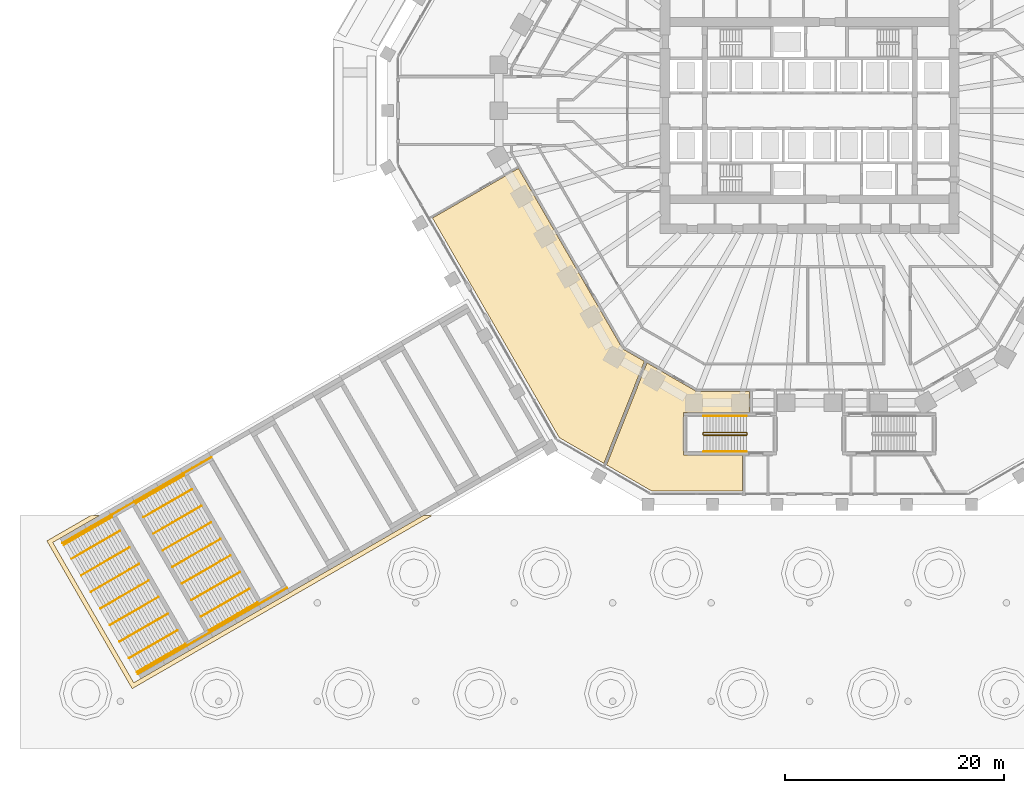
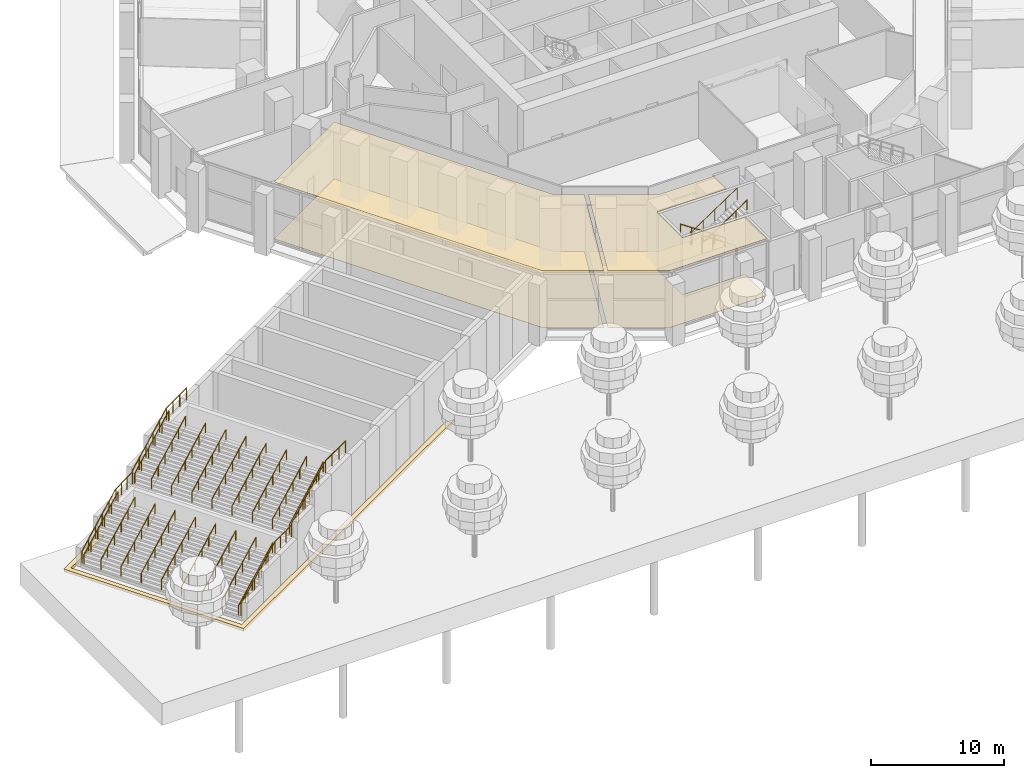
# One storey, part 33 of 44: 29 railings, 5 coverings.
"""IFC4 building model written with IfcOpenShell, lengths in metres."""

from ifc_helpers import new_model, si_unit, direction, frame, origin, origin_2d, place, context, subcontext, project, spatial, polyline, circle, outline, extrude, material, layer, layer_set, type_object, element, save


model = new_model("IFC4")

# Units and contexts
model_context = context("Model", 3, precision=1e-05, world=origin(), true_north=direction((0.0, 1.0)))
body_context = subcontext(model_context, "Body", "Model", "MODEL_VIEW")
ifc_project = project(units=[si_unit("LENGTHUNIT", "METRE"), si_unit("AREAUNIT", "SQUARE_METRE"), si_unit("VOLUMEUNIT", "CUBIC_METRE"), si_unit("PLANEANGLEUNIT", "RADIAN"), si_unit("MASSUNIT", "GRAM", prefix="KILO")], contexts=[model_context])

# Site, building, storey
site_placement = place(None, origin())
site = spatial("IfcSite", under=ifc_project, at=site_placement, CompositionType="ELEMENT")
building_placement = place(site_placement, origin())
building = spatial("IfcBuilding", under=site, at=building_placement, Name="Frailejon Research Tower", CompositionType="ELEMENT")
storey_placement = place(building_placement, origin())
storey = spatial("IfcBuildingStorey", under=building, at=storey_placement, Name="L00", CompositionType="ELEMENT", Elevation=0.0)

# Railings
ifc_material_1 = material(Name="Galvanised steel balustrade", Category="steel")
railing_type_1 = type_object("IfcRailingType", Name="Broad stair guard 1100", PredefinedType="GUARDRAIL", material=ifc_material_1)
railing_1_placement = place(storey_placement, frame((-54.682861328125, -31.6865234375, 5.60009765625)))
element("IfcRailing", 1, at=railing_1_placement, inside=storey, type_object=railing_type_1, Name="Broad stair W1 landing guard", PredefinedType="GUARDRAIL", context=body_context, shape_type="SweptSolid", body=[
    extrude(circle(Radius=0.02392578125, at=origin_2d()), frame((0.0, 0.0, 1.076171875), z_axis=(-0.866031096941, -0.499990139034, 0.0), x_axis=(0.499990139034, -0.866031096941, 0.0)), (0.0, 0.0, 1.0), 3.0),
    extrude(circle(Radius=0.02099609375, at=origin_2d()), origin(), (0.0, 0.0, 1.0), 1.052001953125),
    extrude(circle(Radius=0.02099609375, at=origin_2d()), frame((-0.865966796875, -0.5, 0.0)), (0.0, 0.0, 1.0), 1.052001953125),
    extrude(circle(Radius=0.02099609375, at=origin_2d()), frame((-1.732177734375, -1.0, 0.0)), (0.0, 0.0, 1.0), 1.052001953125),
    extrude(circle(Radius=0.02099609375, at=origin_2d()), frame((-2.59814453125, -1.5, 0.0)), (0.0, 0.0, 1.0), 1.052001953125),
])
railing_2_placement = place(storey_placement, frame((-61.697509765625, -35.736572265625, 2.800048828125)))
element("IfcRailing", 2, at=railing_2_placement, inside=storey, type_object=railing_type_1, Name="Broad stair W1 landing guard", PredefinedType="GUARDRAIL", context=body_context, shape_type="SweptSolid", body=[
    extrude(circle(Radius=0.02392578125, at=origin_2d()), frame((0.0, 0.0, 1.076171875), z_axis=(-0.866047370643, -0.499961950354, 0.0), x_axis=(0.499961950354, -0.866047370643, 0.0)), (0.0, 0.0, 1.0), 2.500244140625),
    extrude(circle(Radius=0.02099609375, at=origin_2d()), origin(), (0.0, 0.0, 1.0), 1.052001953125),
    extrude(circle(Radius=0.02099609375, at=origin_2d()), frame((-0.7216796875, -0.416748046875, 0.0)), (0.0, 0.0, 1.0), 1.052001953125),
    extrude(circle(Radius=0.02099609375, at=origin_2d()), frame((-1.443603515625, -0.833251953125, 0.0)), (0.0, 0.0, 1.0), 1.052001953125),
    extrude(circle(Radius=0.02099609375, at=origin_2d()), frame((-2.165283203125, -1.25, 0.0)), (0.0, 0.0, 1.0), 1.052001953125),
])
railing_3_placement = place(storey_placement, frame((-47.78271484375, -43.6376953125, 5.60009765625)))
element("IfcRailing", 3, at=railing_3_placement, inside=storey, type_object=railing_type_1, Name="Broad stair W1 landing guard", PredefinedType="GUARDRAIL", context=body_context, shape_type="SweptSolid", body=[
    extrude(circle(Radius=0.02392578125, at=origin_2d()), frame((0.0, 0.0, 1.076171875), z_axis=(-0.866031096941, -0.499990139034, 0.0), x_axis=(0.499990139034, -0.866031096941, 0.0)), (0.0, 0.0, 1.0), 3.0),
    extrude(circle(Radius=0.02099609375, at=origin_2d()), origin(), (0.0, 0.0, 1.0), 1.052001953125),
    extrude(circle(Radius=0.02099609375, at=origin_2d()), frame((-0.865966796875, -0.5, 0.0)), (0.0, 0.0, 1.0), 1.052001953125),
    extrude(circle(Radius=0.02099609375, at=origin_2d()), frame((-1.732177734375, -1.0, 0.0)), (0.0, 0.0, 1.0), 1.052001953125),
    extrude(circle(Radius=0.02099609375, at=origin_2d()), frame((-2.59814453125, -1.5, 0.0)), (0.0, 0.0, 1.0), 1.052001953125),
])
railing_4_placement = place(storey_placement, frame((-54.797607421875, -47.687744140625, 2.800048828125)))
element("IfcRailing", 4, at=railing_4_placement, inside=storey, type_object=railing_type_1, Name="Broad stair W1 landing guard", PredefinedType="GUARDRAIL", context=body_context, shape_type="SweptSolid", body=[
    extrude(circle(Radius=0.02392578125, at=origin_2d()), frame((0.0, 0.0, 1.076171875), z_axis=(-0.866022959057, -0.500004234368, 0.0), x_axis=(0.500004234368, -0.866022959057, 0.0)), (0.0, 0.0, 1.0), 2.5),
    extrude(circle(Radius=0.02099609375, at=origin_2d()), origin(), (0.0, 0.0, 1.0), 1.052001953125),
    extrude(circle(Radius=0.02099609375, at=origin_2d()), frame((-0.7216796875, -0.416748046875, 0.0)), (0.0, 0.0, 1.0), 1.052001953125),
    extrude(circle(Radius=0.02099609375, at=origin_2d()), frame((-1.443359375, -0.833251953125, 0.0)), (0.0, 0.0, 1.0), 1.052001953125),
    extrude(circle(Radius=0.02099609375, at=origin_2d()), frame((-2.1650390625, -1.25, 0.0)), (0.0, 0.0, 1.0), 1.052001953125),
])
for number, where, name in (
    (5, (-61.697509765625, -35.736572265625, 2.95556640625), "Broad stair W1 flight guard"),
    (6, (-68.279296875, -39.53662109375, 0.155517578125), "Broad stair W1 flight guard"),
):
    element("IfcRailing", number, at=place(storey_placement, frame(where)), inside=storey, type_object=railing_type_1, Name=name, PredefinedType="GUARDRAIL", context=body_context, shape_type="SweptSolid", body=[
        extrude(circle(Radius=0.02392578125, at=origin_2d()), frame((0.0, 0.0, 1.076171875), z_axis=(0.768793665423, 0.443894407703, 0.460341237361), x_axis=(-0.500026340207, 0.866010195725, 0.0)), (0.0, 0.0, 1.0), 5.74462890625),
        extrude(circle(Radius=0.02099609375, at=origin_2d()), origin(), (0.0, 0.0, 1.0), 1.052001953125),
        extrude(circle(Radius=0.02099609375, at=origin_2d()), frame((0.88330078125, 0.510009765625, 0.52880859375)), (0.0, 0.0, 1.0), 1.052001953125),
        extrude(circle(Radius=0.02099609375, at=origin_2d()), frame((1.7666015625, 1.02001953125, 1.057861328125)), (0.0, 0.0, 1.0), 1.052001953125),
        extrude(circle(Radius=0.02099609375, at=origin_2d()), frame((2.64990234375, 1.530029296875, 1.586669921875)), (0.0, 0.0, 1.0), 1.052001953125),
        extrude(circle(Radius=0.02099609375, at=origin_2d()), frame((3.533203125, 2.0400390625, 2.11572265625)), (0.0, 0.0, 1.0), 1.052001953125),
        extrude(circle(Radius=0.02099609375, at=origin_2d()), frame((4.41650390625, 2.550048828125, 2.64453125)), (0.0, 0.0, 1.0), 1.052001953125),
    ])
for number, where, name in (
    (7, (-54.797607421875, -47.687744140625, 2.95556640625), "Broad stair W1 flight guard"),
    (8, (-61.37939453125, -51.48779296875, 0.155517578125), "Broad stair W1 flight guard"),
):
    element("IfcRailing", number, at=place(storey_placement, frame(where)), inside=storey, type_object=railing_type_1, Name=name, PredefinedType="GUARDRAIL", context=body_context, shape_type="SweptSolid", body=[
        extrude(circle(Radius=0.02392578125, at=origin_2d()), frame((0.0, 0.0, 1.076171875), z_axis=(0.768811044506, 0.443879904918, 0.46032619723), x_axis=(-0.500005610874, 0.86602216432, 0.0)), (0.0, 0.0, 1.0), 5.744873046875),
        extrude(circle(Radius=0.02099609375, at=origin_2d()), origin(), (0.0, 0.0, 1.0), 1.052001953125),
        extrude(circle(Radius=0.02099609375, at=origin_2d()), frame((0.88330078125, 0.510009765625, 0.52880859375)), (0.0, 0.0, 1.0), 1.052001953125),
        extrude(circle(Radius=0.02099609375, at=origin_2d()), frame((1.7666015625, 1.02001953125, 1.057861328125)), (0.0, 0.0, 1.0), 1.052001953125),
        extrude(circle(Radius=0.02099609375, at=origin_2d()), frame((2.650146484375, 1.530029296875, 1.586669921875)), (0.0, 0.0, 1.0), 1.052001953125),
        extrude(circle(Radius=0.02099609375, at=origin_2d()), frame((3.533447265625, 2.0400390625, 2.11572265625)), (0.0, 0.0, 1.0), 1.052001953125),
        extrude(circle(Radius=0.02099609375, at=origin_2d()), frame((4.416748046875, 2.550048828125, 2.64453125)), (0.0, 0.0, 1.0), 1.052001953125),
    ])
ifc_material_2 = material(Name="Stainless steel handrail", Category="steel")
railing_type_2 = type_object("IfcRailingType", Name="Broad stair handrail", PredefinedType="HANDRAIL", material=ifc_material_2)
railing_5_placement = place(storey_placement, frame((-61.59765625, -35.909912109375, 2.95556640625)))
element("IfcRailing", 9, at=railing_5_placement, inside=storey, type_object=railing_type_2, Name="Broad stair W1 flight handrail", PredefinedType="HANDRAIL", context=body_context, shape_type="SweptSolid", body=[
    extrude(circle(Radius=0.02392578125, at=origin_2d()), frame((0.0, 0.0, 0.8759765625), z_axis=(0.768811044506, 0.443879904918, 0.46032619723), x_axis=(-0.500005610874, 0.86602216432, 0.0)), (0.0, 0.0, 1.0), 5.744873046875),
    extrude(circle(Radius=0.02099609375, at=origin_2d()), origin(), (0.0, 0.0, 1.0), 0.851806640625),
    extrude(circle(Radius=0.02099609375, at=origin_2d()), frame((0.88330078125, 0.510009765625, 0.52880859375)), (0.0, 0.0, 1.0), 0.851806640625),
    extrude(circle(Radius=0.02099609375, at=origin_2d()), frame((1.7666015625, 1.02001953125, 1.057861328125)), (0.0, 0.0, 1.0), 0.851806640625),
    extrude(circle(Radius=0.02099609375, at=origin_2d()), frame((2.650146484375, 1.530029296875, 1.586669921875)), (0.0, 0.0, 1.0), 0.851806640625),
    extrude(circle(Radius=0.02099609375, at=origin_2d()), frame((3.533447265625, 2.0400390625, 2.11572265625)), (0.0, 0.0, 1.0), 0.851806640625),
    extrude(circle(Radius=0.02099609375, at=origin_2d()), frame((4.416748046875, 2.550048828125, 2.64453125)), (0.0, 0.0, 1.0), 0.851806640625),
])
railing_6_placement = place(storey_placement, frame((-68.179443359375, -39.709716796875, 0.155517578125)))
element("IfcRailing", 10, at=railing_6_placement, inside=storey, type_object=railing_type_2, Name="Broad stair W1 flight handrail", PredefinedType="HANDRAIL", context=body_context, shape_type="SweptSolid", body=[
    extrude(circle(Radius=0.02392578125, at=origin_2d()), frame((0.0, 0.0, 0.8759765625), z_axis=(0.768825546697, 0.443845780206, 0.460334880428), x_axis=(-0.499969707105, 0.866042892689, 0.0)), (0.0, 0.0, 1.0), 5.744873046875),
    extrude(circle(Radius=0.02099609375, at=origin_2d()), origin(), (0.0, 0.0, 1.0), 0.851806640625),
    extrude(circle(Radius=0.02099609375, at=origin_2d()), frame((0.88330078125, 0.510009765625, 0.52880859375)), (0.0, 0.0, 1.0), 0.851806640625),
    extrude(circle(Radius=0.02099609375, at=origin_2d()), frame((1.7666015625, 1.02001953125, 1.057861328125)), (0.0, 0.0, 1.0), 0.851806640625),
    extrude(circle(Radius=0.02099609375, at=origin_2d()), frame((2.650146484375, 1.52978515625, 1.586669921875)), (0.0, 0.0, 1.0), 0.851806640625),
    extrude(circle(Radius=0.02099609375, at=origin_2d()), frame((3.533447265625, 2.039794921875, 2.11572265625)), (0.0, 0.0, 1.0), 0.851806640625),
    extrude(circle(Radius=0.02099609375, at=origin_2d()), frame((4.416748046875, 2.5498046875, 2.64453125)), (0.0, 0.0, 1.0), 0.851806640625),
])
for number, where, name in (
    (11, (-60.87255859375, -37.16552734375, 2.95556640625), "Broad stair W1 flight handrail"),
    (12, (-67.454345703125, -40.965576171875, 0.155517578125), "Broad stair W1 flight handrail"),
    (13, (-59.99755859375, -38.68115234375, 2.95556640625), "Broad stair W1 flight handrail"),
    (14, (-66.579345703125, -42.481201171875, 0.155517578125), "Broad stair W1 flight handrail"),
    (15, (-59.12255859375, -40.196533203125, 2.95556640625), "Broad stair W1 flight handrail"),
    (16, (-65.704345703125, -43.99658203125, 0.155517578125), "Broad stair W1 flight handrail"),
    (17, (-58.24755859375, -41.712158203125, 2.95556640625), "Broad stair W1 flight handrail"),
    (18, (-64.829345703125, -45.51220703125, 0.155517578125), "Broad stair W1 flight handrail"),
    (19, (-57.37255859375, -43.227783203125, 2.95556640625), "Broad stair W1 flight handrail"),
):
    element("IfcRailing", number, at=place(storey_placement, frame(where)), inside=storey, type_object=railing_type_2, Name=name, PredefinedType="HANDRAIL", context=body_context, shape_type="SweptSolid", body=[
        extrude(circle(Radius=0.02392578125, at=origin_2d()), frame((0.0, 0.0, 0.8759765625), z_axis=(0.768811044506, 0.443879904918, 0.46032619723), x_axis=(-0.500005610874, 0.86602216432, 0.0)), (0.0, 0.0, 1.0), 5.744873046875),
        extrude(circle(Radius=0.02099609375, at=origin_2d()), origin(), (0.0, 0.0, 1.0), 0.851806640625),
        extrude(circle(Radius=0.02099609375, at=origin_2d()), frame((0.88330078125, 0.510009765625, 0.52880859375)), (0.0, 0.0, 1.0), 0.851806640625),
        extrude(circle(Radius=0.02099609375, at=origin_2d()), frame((1.7666015625, 1.02001953125, 1.057861328125)), (0.0, 0.0, 1.0), 0.851806640625),
        extrude(circle(Radius=0.02099609375, at=origin_2d()), frame((2.650146484375, 1.530029296875, 1.586669921875)), (0.0, 0.0, 1.0), 0.851806640625),
        extrude(circle(Radius=0.02099609375, at=origin_2d()), frame((3.533447265625, 2.0400390625, 2.11572265625)), (0.0, 0.0, 1.0), 0.851806640625),
        extrude(circle(Radius=0.02099609375, at=origin_2d()), frame((4.416748046875, 2.550048828125, 2.64453125)), (0.0, 0.0, 1.0), 0.851806640625),
    ])
railing_7_placement = place(storey_placement, frame((-63.954345703125, -47.027587890625, 0.155517578125)))
element("IfcRailing", 20, at=railing_7_placement, inside=storey, type_object=railing_type_2, Name="Broad stair W1 flight handrail", PredefinedType="HANDRAIL", context=body_context, shape_type="SweptSolid", body=[
    extrude(circle(Radius=0.02392578125, at=origin_2d()), frame((0.0, 0.0, 0.8759765625), z_axis=(0.768825546697, 0.443845780206, 0.460334880428), x_axis=(-0.499969707105, 0.866042892689, 0.0)), (0.0, 0.0, 1.0), 5.744873046875),
    extrude(circle(Radius=0.02099609375, at=origin_2d()), origin(), (0.0, 0.0, 1.0), 0.851806640625),
    extrude(circle(Radius=0.02099609375, at=origin_2d()), frame((0.88330078125, 0.510009765625, 0.52880859375)), (0.0, 0.0, 1.0), 0.851806640625),
    extrude(circle(Radius=0.02099609375, at=origin_2d()), frame((1.7666015625, 1.02001953125, 1.057861328125)), (0.0, 0.0, 1.0), 0.851806640625),
    extrude(circle(Radius=0.02099609375, at=origin_2d()), frame((2.650146484375, 1.52978515625, 1.586669921875)), (0.0, 0.0, 1.0), 0.851806640625),
    extrude(circle(Radius=0.02099609375, at=origin_2d()), frame((3.533447265625, 2.039794921875, 2.11572265625)), (0.0, 0.0, 1.0), 0.851806640625),
    extrude(circle(Radius=0.02099609375, at=origin_2d()), frame((4.416748046875, 2.5498046875, 2.64453125)), (0.0, 0.0, 1.0), 0.851806640625),
])
railing_8_placement = place(storey_placement, frame((-56.49755859375, -44.743408203125, 2.95556640625)))
element("IfcRailing", 21, at=railing_8_placement, inside=storey, type_object=railing_type_2, Name="Broad stair W1 flight handrail", PredefinedType="HANDRAIL", context=body_context, shape_type="SweptSolid", body=[
    extrude(circle(Radius=0.02392578125, at=origin_2d()), frame((0.0, 0.0, 0.8759765625), z_axis=(0.768811044506, 0.443879904918, 0.46032619723), x_axis=(-0.500005610874, 0.86602216432, 0.0)), (0.0, 0.0, 1.0), 5.744873046875),
    extrude(circle(Radius=0.02099609375, at=origin_2d()), origin(), (0.0, 0.0, 1.0), 0.851806640625),
    extrude(circle(Radius=0.02099609375, at=origin_2d()), frame((0.88330078125, 0.510009765625, 0.52880859375)), (0.0, 0.0, 1.0), 0.851806640625),
    extrude(circle(Radius=0.02099609375, at=origin_2d()), frame((1.7666015625, 1.02001953125, 1.057861328125)), (0.0, 0.0, 1.0), 0.851806640625),
    extrude(circle(Radius=0.02099609375, at=origin_2d()), frame((2.650146484375, 1.530029296875, 1.586669921875)), (0.0, 0.0, 1.0), 0.851806640625),
    extrude(circle(Radius=0.02099609375, at=origin_2d()), frame((3.533447265625, 2.0400390625, 2.11572265625)), (0.0, 0.0, 1.0), 0.851806640625),
    extrude(circle(Radius=0.02099609375, at=origin_2d()), frame((4.416748046875, 2.550048828125, 2.64453125)), (0.0, 0.0, 1.0), 0.851806640625),
])
railing_9_placement = place(storey_placement, frame((-63.079345703125, -48.543212890625, 0.155517578125)))
element("IfcRailing", 22, at=railing_9_placement, inside=storey, type_object=railing_type_2, Name="Broad stair W1 flight handrail", PredefinedType="HANDRAIL", context=body_context, shape_type="SweptSolid", body=[
    extrude(circle(Radius=0.02392578125, at=origin_2d()), frame((0.0, 0.0, 0.8759765625), z_axis=(0.768825546697, 0.443845780206, 0.460334880428), x_axis=(-0.499969707105, 0.866042892689, 0.0)), (0.0, 0.0, 1.0), 5.744873046875),
    extrude(circle(Radius=0.02099609375, at=origin_2d()), origin(), (0.0, 0.0, 1.0), 0.851806640625),
    extrude(circle(Radius=0.02099609375, at=origin_2d()), frame((0.88330078125, 0.510009765625, 0.52880859375)), (0.0, 0.0, 1.0), 0.851806640625),
    extrude(circle(Radius=0.02099609375, at=origin_2d()), frame((1.7666015625, 1.02001953125, 1.057861328125)), (0.0, 0.0, 1.0), 0.851806640625),
    extrude(circle(Radius=0.02099609375, at=origin_2d()), frame((2.650146484375, 1.52978515625, 1.586669921875)), (0.0, 0.0, 1.0), 0.851806640625),
    extrude(circle(Radius=0.02099609375, at=origin_2d()), frame((3.533447265625, 2.039794921875, 2.11572265625)), (0.0, 0.0, 1.0), 0.851806640625),
    extrude(circle(Radius=0.02099609375, at=origin_2d()), frame((4.416748046875, 2.5498046875, 2.64453125)), (0.0, 0.0, 1.0), 0.851806640625),
])
for number, where, name in (
    (23, (-55.62255859375, -46.2587890625, 2.95556640625), "Broad stair W1 flight handrail"),
    (24, (-62.204345703125, -50.058837890625, 0.155517578125), "Broad stair W1 flight handrail"),
):
    element("IfcRailing", number, at=place(storey_placement, frame(where)), inside=storey, type_object=railing_type_2, Name=name, PredefinedType="HANDRAIL", context=body_context, shape_type="SweptSolid", body=[
        extrude(circle(Radius=0.02392578125, at=origin_2d()), frame((0.0, 0.0, 0.8759765625), z_axis=(0.768811044506, 0.443879904918, 0.46032619723), x_axis=(-0.500005610874, 0.86602216432, 0.0)), (0.0, 0.0, 1.0), 5.744873046875),
        extrude(circle(Radius=0.02099609375, at=origin_2d()), origin(), (0.0, 0.0, 1.0), 0.851806640625),
        extrude(circle(Radius=0.02099609375, at=origin_2d()), frame((0.88330078125, 0.510009765625, 0.52880859375)), (0.0, 0.0, 1.0), 0.851806640625),
        extrude(circle(Radius=0.02099609375, at=origin_2d()), frame((1.7666015625, 1.02001953125, 1.057861328125)), (0.0, 0.0, 1.0), 0.851806640625),
        extrude(circle(Radius=0.02099609375, at=origin_2d()), frame((2.650146484375, 1.530029296875, 1.586669921875)), (0.0, 0.0, 1.0), 0.851806640625),
        extrude(circle(Radius=0.02099609375, at=origin_2d()), frame((3.533447265625, 2.0400390625, 2.11572265625)), (0.0, 0.0, 1.0), 0.851806640625),
        extrude(circle(Radius=0.02099609375, at=origin_2d()), frame((4.416748046875, 2.550048828125, 2.64453125)), (0.0, 0.0, 1.0), 0.851806640625),
    ])
railing_10_placement = place(storey_placement, frame((-54.897705078125, -47.514404296875, 2.95556640625)))
element("IfcRailing", 25, at=railing_10_placement, inside=storey, type_object=railing_type_2, Name="Broad stair W1 flight handrail", PredefinedType="HANDRAIL", context=body_context, shape_type="SweptSolid", body=[
    extrude(circle(Radius=0.02392578125, at=origin_2d()), frame((0.0, 0.0, 0.8759765625), z_axis=(0.768825546697, 0.443845780206, 0.460334880428), x_axis=(-0.499969707105, 0.866042892689, 0.0)), (0.0, 0.0, 1.0), 5.744873046875),
    extrude(circle(Radius=0.02099609375, at=origin_2d()), origin(), (0.0, 0.0, 1.0), 0.851806640625),
    extrude(circle(Radius=0.02099609375, at=origin_2d()), frame((0.88330078125, 0.510009765625, 0.52880859375)), (0.0, 0.0, 1.0), 0.851806640625),
    extrude(circle(Radius=0.02099609375, at=origin_2d()), frame((1.7666015625, 1.02001953125, 1.057861328125)), (0.0, 0.0, 1.0), 0.851806640625),
    extrude(circle(Radius=0.02099609375, at=origin_2d()), frame((2.650146484375, 1.52978515625, 1.586669921875)), (0.0, 0.0, 1.0), 0.851806640625),
    extrude(circle(Radius=0.02099609375, at=origin_2d()), frame((3.533447265625, 2.039794921875, 2.11572265625)), (0.0, 0.0, 1.0), 0.851806640625),
    extrude(circle(Radius=0.02099609375, at=origin_2d()), frame((4.416748046875, 2.5498046875, 2.64453125)), (0.0, 0.0, 1.0), 0.851806640625),
])
railing_11_placement = place(storey_placement, frame((-61.4794921875, -51.314453125, 0.155517578125)))
element("IfcRailing", 26, at=railing_11_placement, inside=storey, type_object=railing_type_2, Name="Broad stair W1 flight handrail", PredefinedType="HANDRAIL", context=body_context, shape_type="SweptSolid", body=[
    extrude(circle(Radius=0.02392578125, at=origin_2d()), frame((0.0, 0.0, 0.8759765625), z_axis=(0.768811044506, 0.443879904918, 0.46032619723), x_axis=(-0.500005610874, 0.86602216432, 0.0)), (0.0, 0.0, 1.0), 5.744873046875),
    extrude(circle(Radius=0.02099609375, at=origin_2d()), origin(), (0.0, 0.0, 1.0), 0.851806640625),
    extrude(circle(Radius=0.02099609375, at=origin_2d()), frame((0.88330078125, 0.510009765625, 0.52880859375)), (0.0, 0.0, 1.0), 0.851806640625),
    extrude(circle(Radius=0.02099609375, at=origin_2d()), frame((1.7666015625, 1.02001953125, 1.057861328125)), (0.0, 0.0, 1.0), 0.851806640625),
    extrude(circle(Radius=0.02099609375, at=origin_2d()), frame((2.650146484375, 1.530029296875, 1.586669921875)), (0.0, 0.0, 1.0), 0.851806640625),
    extrude(circle(Radius=0.02099609375, at=origin_2d()), frame((3.533447265625, 2.0400390625, 2.11572265625)), (0.0, 0.0, 1.0), 0.851806640625),
    extrude(circle(Radius=0.02099609375, at=origin_2d()), frame((4.416748046875, 2.550048828125, 2.64453125)), (0.0, 0.0, 1.0), 0.851806640625),
])

# Covering
ifc_material_3 = material(Name="Precast concrete paving C30/37", Category="concrete")
ifc_layer_1 = layer(ifc_material_3, 0.25)
ifc_layer_set_1 = layer_set([ifc_layer_1], Name="Stair foot paving 250")
covering_type_1 = type_object("IfcCoveringType", Name="Stair foot paving 250", PredefinedType="FLOORING", material=ifc_layer_set_1)
covering_1_placement = place(storey_placement, frame((0.0, 0.0, -0.25)))
element("IfcCovering", 27, at=covering_1_placement, inside=storey, type_object=covering_type_1, Name="Stair foot paving", PredefinedType="FLOORING", context=body_context, shape_type="SweptSolid", body=[
    extrude(outline(polyline([(-69.725341796875, -39.332275390625), (-65.685791015625, -37.0), (-64.8857421875, -37.0), (-69.178955078125, -39.478515625), (-61.77880859375, -52.2958984375), (-35.285888671875, -37.0), (-34.48583984375, -37.0), (-61.92529296875, -52.84228515625), (-69.725341796875, -39.332275390625)])), origin(), (0.0, 0.0, 1.0), 0.25),
])

# Railings
ifc_material_4 = material(Name="Stainless steel", Category="steel")
railing_type_3 = type_object("IfcRailingType", Name="Stair guard 1100", PredefinedType="GUARDRAIL", material=ifc_material_4)
railing_12_placement = place(storey_placement, frame((-5.70703125, -29.625, 0.0)))
element("IfcRailing", 28, at=railing_12_placement, inside=storey, type_object=railing_type_3, Name="L00 PS3 stair guard 1", PredefinedType="GUARDRAIL", context=body_context, shape_type="SweptSolid", body=[
    extrude(circle(Radius=0.02392578125, at=origin_2d()), frame((0.0, 0.0, 1.076171875), z_axis=(0.0, 1.0, 0.0), x_axis=(-1.0, 0.0, 0.0)), (0.0, 0.0, 1.0), 0.14990234375),
    extrude(circle(Radius=0.02392578125, at=origin_2d()), frame((0.0, 0.14990234375, 1.076171875), z_axis=(-0.249436846467, 0.250659576107, 0.935388174252), x_axis=(-0.708833529934, -0.705375805398, 0.0)), (0.0, 0.0, 1.0), 0.19970703125),
    extrude(circle(Radius=0.02392578125, at=origin_2d()), frame((-0.0498046875, 0.199951171875, 1.2626953125), z_axis=(-0.832066238466, 0.0, 0.554676279289), x_axis=(0.0, -1.0, 0.0)), (0.0, 0.0, 1.0), 4.71142578125),
    extrude(circle(Radius=0.02392578125, at=origin_2d()), frame((-3.969970703125, 0.199951171875, 3.8759765625), z_axis=(-0.707106781187, -0.707106781187, 0.0), x_axis=(0.707106781187, -0.707106781187, 0.0)), (0.0, 0.0, 1.0), 0.07080078125),
    extrude(circle(Radius=0.02392578125, at=origin_2d()), frame((-4.02001953125, 0.14990234375, 3.8759765625), z_axis=(0.0, -1.0, 0.0), x_axis=(1.0, 0.0, 0.0)), (0.0, 0.0, 1.0), 0.14990234375),
    extrude(circle(Radius=0.02392578125, at=origin_2d()), frame((-4.02001953125, 0.0, 3.8759765625), z_axis=(0.250869701741, -0.250869701741, 0.934948546978), x_axis=(0.707106781187, 0.707106781187, 0.0)), (0.0, 0.0, 1.0), 0.199462890625),
    extrude(circle(Radius=0.02392578125, at=origin_2d()), frame((-3.969970703125, -0.050048828125, 4.0625), z_axis=(0.832042322245, 0.0, 0.554712154178), x_axis=(0.0, 1.0, 0.0)), (0.0, 0.0, 1.0), 4.71142578125),
    extrude(circle(Radius=0.02099609375, at=origin_2d()), origin(), (0.0, 0.0, 1.0), 1.052001953125),
    extrude(circle(Radius=0.02099609375, at=origin_2d()), frame((0.0, 0.14990234375, 0.0)), (0.0, 0.0, 1.0), 1.052001953125),
    extrude(circle(Radius=0.02099609375, at=origin_2d()), frame((-0.0498046875, 0.199951171875, 0.186767578125)), (0.0, 0.0, 1.0), 1.052001953125),
    extrude(circle(Radius=0.02099609375, at=origin_2d()), frame((-1.02978515625, 0.199951171875, 0.840087890625)), (0.0, 0.0, 1.0), 1.052001953125),
    extrude(circle(Radius=0.02099609375, at=origin_2d()), frame((-2.009765625, 0.199951171875, 1.493408203125)), (0.0, 0.0, 1.0), 1.052001953125),
    extrude(circle(Radius=0.02099609375, at=origin_2d()), frame((-2.989990234375, 0.199951171875, 2.146728515625)), (0.0, 0.0, 1.0), 1.052001953125),
    extrude(circle(Radius=0.02099609375, at=origin_2d()), frame((-3.969970703125, 0.199951171875, 2.800048828125)), (0.0, 0.0, 1.0), 1.052001953125),
    extrude(circle(Radius=0.02099609375, at=origin_2d()), frame((-4.02001953125, 0.14990234375, 2.800048828125)), (0.0, 0.0, 1.0), 1.052001953125),
    extrude(circle(Radius=0.02099609375, at=origin_2d()), frame((-4.02001953125, 0.0, 2.800048828125)), (0.0, 0.0, 1.0), 1.052001953125),
    extrude(circle(Radius=0.02099609375, at=origin_2d()), frame((-3.969970703125, -0.050048828125, 2.986572265625)), (0.0, 0.0, 1.0), 1.052001953125),
    extrude(circle(Radius=0.02099609375, at=origin_2d()), frame((-2.989990234375, -0.050048828125, 3.639892578125)), (0.0, 0.0, 1.0), 1.052001953125),
    extrude(circle(Radius=0.02099609375, at=origin_2d()), frame((-2.009765625, -0.050048828125, 4.29345703125)), (0.0, 0.0, 1.0), 1.052001953125),
    extrude(circle(Radius=0.02099609375, at=origin_2d()), frame((-1.02978515625, -0.050048828125, 4.94677734375)), (0.0, 0.0, 1.0), 1.052001953125),
    extrude(circle(Radius=0.02099609375, at=origin_2d()), frame((-0.0498046875, -0.050048828125, 5.60009765625)), (0.0, 0.0, 1.0), 1.052001953125),
])
ifc_material_5 = material(Name="Stainless steel", Category="steel")
railing_type_4 = type_object("IfcRailingType", Name="Stair handrail 900", PredefinedType="HANDRAIL", material=ifc_material_5)
railing_13_placement = place(storey_placement, frame((-5.7568359375, -27.925048828125, 0.186767578125)))
element("IfcRailing", 29, at=railing_13_placement, inside=storey, type_object=railing_type_4, Name="L00 PS3 stair handrail 1", PredefinedType="HANDRAIL", context=body_context, shape_type="SweptSolid", body=[
    extrude(circle(Radius=0.02392578125, at=origin_2d()), frame((0.0, 0.0, 0.8759765625), z_axis=(-0.832066238466, 0.0, 0.554676279289), x_axis=(0.0, -1.0, 0.0)), (0.0, 0.0, 1.0), 4.71142578125),
    extrude(circle(Radius=0.02099609375, at=origin_2d()), origin(), (0.0, 0.0, 1.0), 0.851806640625),
    extrude(circle(Radius=0.02099609375, at=origin_2d()), frame((-0.97998046875, 0.0, 0.6533203125)), (0.0, 0.0, 1.0), 0.851806640625),
    extrude(circle(Radius=0.02099609375, at=origin_2d()), frame((-1.9599609375, 0.0, 1.306640625)), (0.0, 0.0, 1.0), 0.851806640625),
    extrude(circle(Radius=0.02099609375, at=origin_2d()), frame((-2.940185546875, 0.0, 1.9599609375)), (0.0, 0.0, 1.0), 0.851806640625),
    extrude(circle(Radius=0.02099609375, at=origin_2d()), frame((-3.920166015625, 0.0, 2.61328125)), (0.0, 0.0, 1.0), 0.851806640625),
])
railing_14_placement = place(storey_placement, frame((-9.677001953125, -31.175048828125, 2.986572265625)))
element("IfcRailing", 30, at=railing_14_placement, inside=storey, type_object=railing_type_4, Name="L00 PS3 stair handrail 2", PredefinedType="HANDRAIL", context=body_context, shape_type="SweptSolid", body=[
    extrude(circle(Radius=0.02392578125, at=origin_2d()), frame((0.0, 0.0, 0.8759765625), z_axis=(0.832042322245, 0.0, 0.554712154178), x_axis=(0.0, 1.0, 0.0)), (0.0, 0.0, 1.0), 4.71142578125),
    extrude(circle(Radius=0.02099609375, at=origin_2d()), origin(), (0.0, 0.0, 1.0), 0.851806640625),
    extrude(circle(Radius=0.02099609375, at=origin_2d()), frame((0.97998046875, 0.0, 0.6533203125)), (0.0, 0.0, 1.0), 0.851806640625),
    extrude(circle(Radius=0.02099609375, at=origin_2d()), frame((1.9599609375, 0.0, 1.306640625)), (0.0, 0.0, 1.0), 0.851806640625),
    extrude(circle(Radius=0.02099609375, at=origin_2d()), frame((2.940185546875, 0.0, 1.960205078125)), (0.0, 0.0, 1.0), 0.851806640625),
    extrude(circle(Radius=0.02099609375, at=origin_2d()), frame((3.920166015625, 0.0, 2.613525390625)), (0.0, 0.0, 1.0), 0.851806640625),
])

# Coverings
ifc_material_6 = material(Name="Mineral fibre ceiling board")
ifc_layer_2 = layer(ifc_material_6, 0.0400390625)
ifc_layer_set_2 = layer_set([ifc_layer_2], Name="Suspended ceiling 40")
covering_type_2 = type_object("IfcCoveringType", Name="Suspended ceiling 40", PredefinedType="CEILING", material=ifc_layer_set_2)
covering_2_placement = place(storey_placement, frame((0.0, 0.0, 5.2099609375)))
element("IfcCovering", 31, at=covering_2_placement, inside=storey, type_object=covering_type_2, Name="Ceiling Visitor centre L00-021", PredefinedType="CEILING", context=body_context, shape_type="SweptSolid", body=[
    extrude(outline(polyline([(-15.105224609375, -22.921142578125), (-17.093505859375, -21.773193359375), (-26.613525390625, -5.283935546875), (-34.468505859375, -9.81884765625), (-22.876953125, -29.89599609375), (-18.804931640625, -32.2470703125), (-15.105224609375, -22.921142578125)])), origin(), (0.0, 0.0, 1.0), 0.0400390625),
])
covering_3_placement = place(storey_placement, frame((0.0, 0.0, 5.2099609375)))
element("IfcCovering", 32, at=covering_3_placement, inside=storey, type_object=covering_type_2, Name="Ceiling Cafe L00-023", PredefinedType="CEILING", context=body_context, shape_type="SweptSolid", body=[
    extrude(outline(polyline([(-10.30908203125, -25.68994140625), (-14.860107421875, -23.0625), (-18.559814453125, -32.388427734375), (-14.452392578125, -34.760009765625), (-6.136962890625, -34.760009765625), (-6.136962890625, -31.489990234375), (-11.5419921875, -31.489990234375), (-11.5419921875, -27.610107421875), (-5.471923828125, -27.610107421875), (-5.471923828125, -25.68994140625), (-10.30908203125, -25.68994140625)])), origin(), (0.0, 0.0, 1.0), 0.0400390625),
])
ifc_material_7 = material(Name="Polished terrazzo")
ifc_layer_3 = layer(ifc_material_7, 0.030029296875)
ifc_layer_set_3 = layer_set([ifc_layer_3], Name="Terrazzo floor finish 30")
covering_type_3 = type_object("IfcCoveringType", Name="Terrazzo floor finish 30", PredefinedType="FLOORING", material=ifc_layer_set_3)
covering_4_placement = place(storey_placement, origin())
element("IfcCovering", 33, at=covering_4_placement, inside=storey, type_object=covering_type_3, Name="Floor finish Visitor centre L00-021", PredefinedType="FLOORING", context=body_context, shape_type="SweptSolid", body=[
    extrude(outline(polyline([(-15.105224609375, -22.921142578125), (-17.093505859375, -21.773193359375), (-26.613525390625, -5.283935546875), (-34.468505859375, -9.81884765625), (-22.876953125, -29.89599609375), (-18.804931640625, -32.2470703125), (-15.105224609375, -22.921142578125)])), origin(), (0.0, 0.0, 1.0), 0.030029296875),
])
covering_5_placement = place(storey_placement, origin())
element("IfcCovering", 34, at=covering_5_placement, inside=storey, type_object=covering_type_3, Name="Floor finish Cafe L00-023", PredefinedType="FLOORING", context=body_context, shape_type="SweptSolid", body=[
    extrude(outline(polyline([(-10.30908203125, -25.68994140625), (-14.860107421875, -23.0625), (-18.559814453125, -32.388427734375), (-14.452392578125, -34.760009765625), (-6.136962890625, -34.760009765625), (-6.136962890625, -31.489990234375), (-11.5419921875, -31.489990234375), (-11.5419921875, -27.610107421875), (-5.471923828125, -27.610107421875), (-5.471923828125, -25.68994140625), (-10.30908203125, -25.68994140625)])), origin(), (0.0, 0.0, 1.0), 0.030029296875),
])

save(model, "model.ifc")
